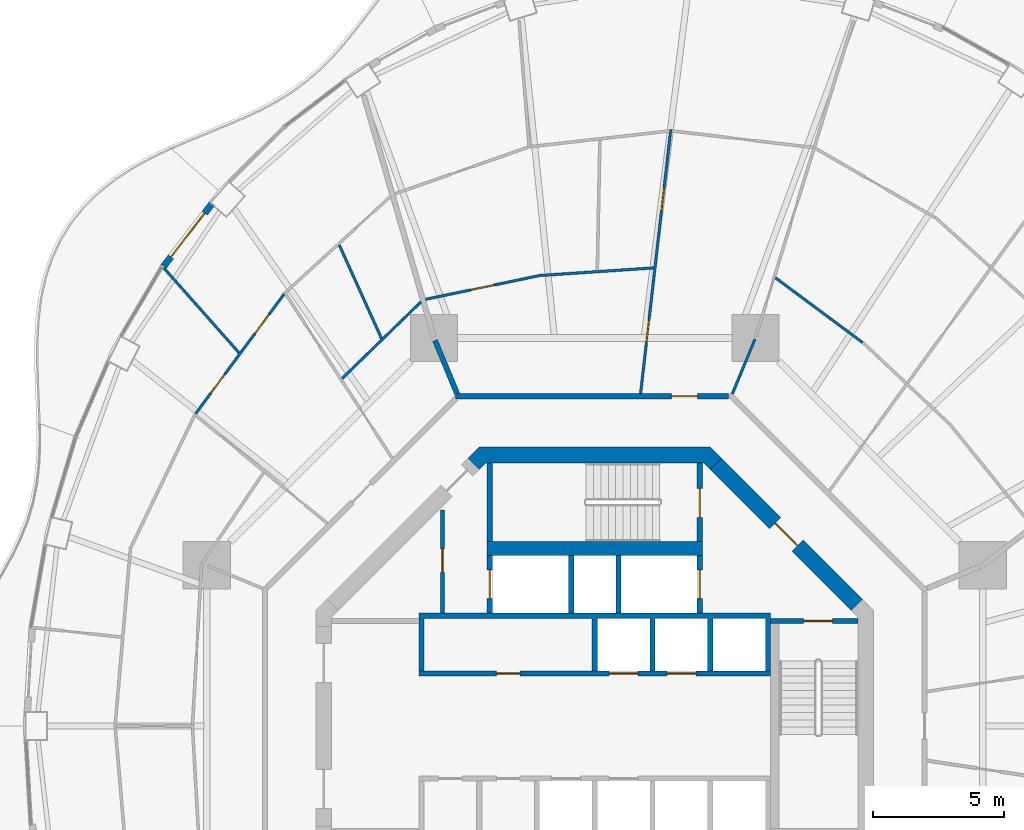
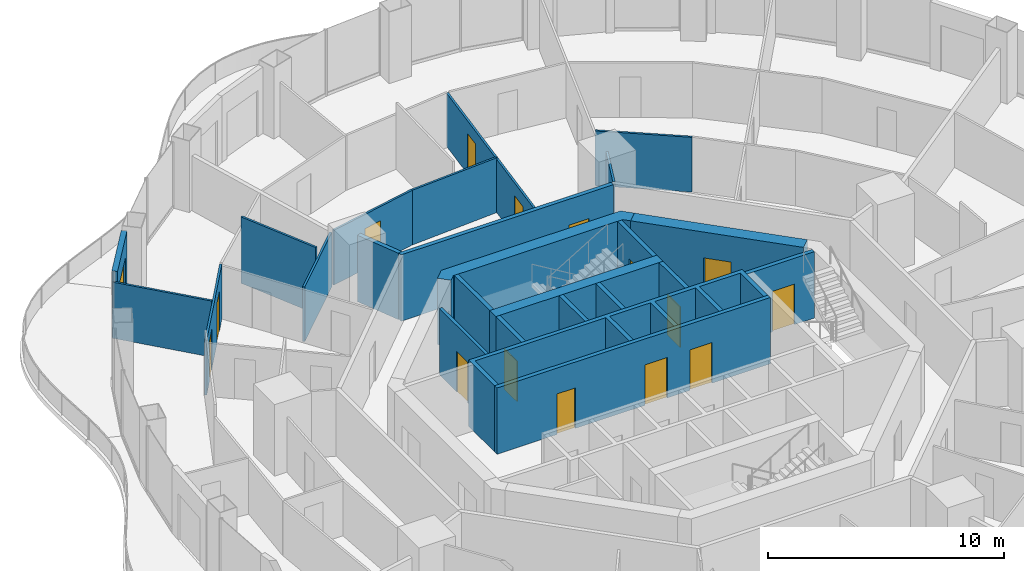
# One storey, part 14 of 19: 25 walls, 16 doors, 16 openings.
"""IFC4 building model written with IfcOpenShell, lengths in metres."""

from ifc_helpers import new_model, si_unit, direction, frame, frame_2d, origin, place, context, subcontext, project, spatial, polyline, rectangle, outline, extrude, material, layer, layer_set, type_object, element, fill, save


model = new_model("IFC4")

# Units and contexts
model_context = context("Model", 3, precision=1e-05, world=origin(), true_north=direction((0.0, 1.0)))
body_context = subcontext(model_context, "Body", "Model", "MODEL_VIEW")
ifc_project = project(units=[si_unit("LENGTHUNIT", "METRE"), si_unit("AREAUNIT", "SQUARE_METRE"), si_unit("VOLUMEUNIT", "CUBIC_METRE"), si_unit("PLANEANGLEUNIT", "RADIAN"), si_unit("MASSUNIT", "GRAM", prefix="KILO")], contexts=[model_context])

# Site, building, storey
site_placement = place(None, origin())
site = spatial("IfcSite", under=ifc_project, at=site_placement, CompositionType="ELEMENT")
building_placement = place(site_placement, origin())
building = spatial("IfcBuilding", under=site, at=building_placement, Name="Nagisa Residences", CompositionType="ELEMENT")
storey_placement = place(building_placement, frame((0.0, 0.0, 195.5)))
storey = spatial("IfcBuildingStorey", under=building, at=storey_placement, Name="L49", CompositionType="ELEMENT", Elevation=195.5)

# Wall
ifc_material_1 = material(Name="Gypsum board on steel studs", Category="steel")
ifc_layer_1 = layer(ifc_material_1, 0.199951171875)
ifc_layer_set_1 = layer_set([ifc_layer_1], Name="Apartment compartment wall EI60 200")
wall_type_1 = type_object("IfcWallType", Name="Apartment compartment wall EI60 200", PredefinedType="PARTITIONING", material=ifc_layer_set_1)
wall_1_placement = place(storey_placement, frame((-5.24267578125, 12.6572265625, 0.0), z_axis=(0.0, 0.0, 1.0), x_axis=(-0.382707856524, 0.923869415315, 0.0)))
element("IfcWall", 1, at=wall_1_placement, inside=storey, type_object=wall_type_1, Name="wall:L49:u02", PredefinedType="PARTITIONING", context=body_context, shape_type="SweptSolid", body=[
    extrude(rectangle(XDim=2.2001953125, YDim=0.199951171875, at=frame_2d((1.10009765625, 0.0))), origin(), (0.0, 0.0, 1.0), 3.43994140625),
])

# Wall, opening, door
ifc_material_2 = material(Name="Gypsum board on steel studs", Category="steel")
ifc_layer_2 = layer(ifc_material_2, 0.199951171875)
ifc_layer_set_2 = layer_set([ifc_layer_2], Name="Apartment entry wall EI60 200")
wall_type_2 = type_object("IfcWallType", Name="Apartment entry wall EI60 200", PredefinedType="PARTITIONING", material=ifc_layer_set_2)
wall_2_placement = place(storey_placement, frame((5.1044921875, 12.564697265625, 0.0), z_axis=(0.0, 0.0, 1.0), x_axis=(-1.0, 0.0, 0.0)))
wall_2 = element("IfcWall", 2, at=wall_2_placement, inside=storey, type_object=wall_type_2, Name="wall:L49:u12", PredefinedType="PARTITIONING", context=body_context, shape_type="SweptSolid", body=[
    extrude(rectangle(XDim=10.408935546875, YDim=0.199951171875, at=frame_2d((5.20458984375, 0.0))), origin(), (0.0, 0.0, 1.0), 3.43994140625),
])
opening_1_placement = place(wall_2_placement, frame((1.184814453125, 0.0, 0.0)))
opening_1 = element("IfcOpeningElement", 3, at=opening_1_placement, cuts=wall_2, Name="Opening L49-U31", PredefinedType="OPENING", context=body_context, shape_type="SweptSolid", body=[
    extrude(rectangle(XDim=1.0, YDim=2.10009765625, at=frame_2d((0.5, 1.050048828125))), frame((0.0, 0.10986328125, 0.0), z_axis=(0.0, -1.0, 0.0), x_axis=(1.0, 0.0, 0.0)), (0.0, 0.0, 1.0), 0.219970703125),
])
ifc_material_3 = material(Name="Timber fire door set", Category="wood")
door_type_1 = type_object("IfcDoorType", Name="Apartment entry door FD30S 1000x2100", OperationType="NOTDEFINED", PredefinedType="DOOR", material=ifc_material_3)
door_1_placement = place(opening_1_placement, frame((1.0, 0.0, 0.0), x_axis=(-1.0, 0.0, 0.0)))
door_1 = element("IfcDoor", 4, at=door_1_placement, inside=storey, type_object=door_type_1, Name="Entry door, Apartment 49D", OperationType="SINGLE_SWING_RIGHT", OverallHeight=2.10009765625, OverallWidth=1.0, PredefinedType="DOOR", context=body_context, shape_type="SweptSolid", body=[
    extrude(rectangle(XDim=1.0, YDim=2.10009765625, at=frame_2d((0.5, 1.050048828125))), frame((0.0, 0.02490234375, 0.0), z_axis=(0.0, -1.0, 0.0), x_axis=(1.0, 0.0, 0.0)), (0.0, 0.0, 1.0), 0.050048828125),
])
fill(opening_1, door_1)

# Walls
ifc_material_4 = material(Name="Gypsum board on steel studs", Category="steel")
ifc_layer_3 = layer(ifc_material_4, 0.10009765625)
ifc_layer_set_3 = layer_set([ifc_layer_3], Name="Apartment partition 100")
wall_type_3 = type_object("IfcWallType", Name="Apartment partition 100", PredefinedType="PARTITIONING", material=ifc_layer_set_3)
wall_3_placement = place(storey_placement, frame((10.20654296875, 14.609619140625, 0.0), z_axis=(0.0, 0.0, 1.0), x_axis=(-0.802784956441, 0.596268659005, 0.0)))
element("IfcWall", 5, at=wall_3_placement, inside=storey, type_object=wall_type_3, Name="wall:L49:u30", PredefinedType="PARTITIONING", context=body_context, shape_type="SweptSolid", body=[
    extrude(rectangle(XDim=4.142333984375, YDim=0.10009765625, at=frame_2d((2.0712890625, 0.0))), origin(), (0.0, 0.0, 1.0), 2.8369140625),
])
wall_4_placement = place(storey_placement, frame((5.24267578125, 12.6572265625, 0.0), z_axis=(0.0, 0.0, 1.0), x_axis=(0.382719158442, 0.923864733477, 0.0)))
element("IfcWall", 6, at=wall_4_placement, inside=storey, type_object=wall_type_3, Name="wall:L49:u32", PredefinedType="PARTITIONING", context=body_context, shape_type="SweptSolid", body=[
    extrude(rectangle(XDim=2.25, YDim=0.10009765625, at=frame_2d((1.125, 0.0))), origin(), (0.0, 0.0, 1.0), 3.43994140625),
])

# Wall, openings, doors
wall_5_placement = place(storey_placement, frame((1.74609375, 12.6640625, 0.0), z_axis=(0.0, 0.0, 1.0), x_axis=(0.113629529561, 0.993523190475, 0.0)))
wall_5 = element("IfcWall", 7, at=wall_5_placement, inside=storey, type_object=wall_type_3, Name="wall:L49:u35", PredefinedType="PARTITIONING", context=body_context, shape_type="SweptSolid", body=[
    extrude(rectangle(XDim=10.12841796875, YDim=0.10009765625, at=frame_2d((5.064208984375, 0.0))), origin(), (0.0, 0.0, 1.0), 2.756103515625),
])
opening_2_placement = place(wall_5_placement, frame((1.96240234375, 0.0, 0.0)))
opening_2 = element("IfcOpeningElement", 8, at=opening_2_placement, cuts=wall_5, Name="Opening L49-U33", PredefinedType="OPENING", context=body_context, shape_type="SweptSolid", body=[
    extrude(rectangle(XDim=0.89990234375, YDim=2.10009765625, at=frame_2d((0.449951171875, 1.050048828125))), frame((0.0, 0.06005859375, 0.0), z_axis=(0.0, -1.0, 0.0), x_axis=(1.0, 0.0, 0.0)), (0.0, 0.0, 1.0), 0.1201171875),
])
opening_3_placement = place(wall_5_placement, frame((7.001708984375, 0.0, 0.0)))
opening_3 = element("IfcOpeningElement", 9, at=opening_3_placement, cuts=wall_5, Name="Opening L49-U35", PredefinedType="OPENING", context=body_context, shape_type="SweptSolid", body=[
    extrude(rectangle(XDim=0.89990234375, YDim=2.10009765625, at=frame_2d((0.449951171875, 1.050048828125))), frame((0.0, 0.06005859375, 0.0), z_axis=(0.0, -1.0, 0.0), x_axis=(1.0, 0.0, 0.0)), (0.0, 0.0, 1.0), 0.1201171875),
])
ifc_material_5 = material(Name="Timber door set", Category="wood")
door_type_2 = type_object("IfcDoorType", Name="Apartment door 900x2100", OperationType="NOTDEFINED", PredefinedType="DOOR", material=ifc_material_5)
door_2_placement = place(opening_2_placement, origin())
door_2 = element("IfcDoor", 10, at=door_2_placement, inside=storey, type_object=door_type_2, Name="Door to laundry, Apartment 49D", OperationType="SINGLE_SWING_LEFT", OverallHeight=2.10009765625, OverallWidth=0.89990234375, PredefinedType="DOOR", context=body_context, shape_type="SweptSolid", body=[
    extrude(rectangle(XDim=0.89990234375, YDim=2.10009765625, at=frame_2d((0.449951171875, 1.050048828125))), frame((0.0, 0.02490234375, 0.0), z_axis=(0.0, -1.0, 0.0), x_axis=(1.0, 0.0, 0.0)), (0.0, 0.0, 1.0), 0.050048828125),
])
fill(opening_2, door_2)
door_3_placement = place(opening_3_placement, origin())
door_3 = element("IfcDoor", 11, at=door_3_placement, inside=storey, type_object=door_type_2, Name="Door to family bathroom, Apartment 49D", OperationType="SINGLE_SWING_LEFT", OverallHeight=2.10009765625, OverallWidth=0.89990234375, PredefinedType="DOOR", context=body_context, shape_type="SweptSolid", body=[
    extrude(rectangle(XDim=0.89990234375, YDim=2.10009765625, at=frame_2d((0.449951171875, 1.050048828125))), frame((0.0, 0.02490234375, 0.0), z_axis=(0.0, -1.0, 0.0), x_axis=(1.0, 0.0, 0.0)), (0.0, 0.0, 1.0), 0.050048828125),
])
fill(opening_3, door_3)

# Wall
wall_6_placement = place(storey_placement, frame((2.244384765625, 17.45458984375, 0.0), z_axis=(0.0, 0.0, 1.0), x_axis=(-0.997754717554, -0.066974051687, 0.0)))
element("IfcWall", 12, at=wall_6_placement, inside=storey, type_object=wall_type_3, Name="wall:L49:u36", PredefinedType="PARTITIONING", context=body_context, shape_type="SweptSolid", body=[
    extrude(rectangle(XDim=4.308837890625, YDim=0.10009765625, at=frame_2d((2.154296875, 0.0))), origin(), (0.0, 0.0, 1.0), 2.8369140625),
])

# Wall, opening, door
wall_7_placement = place(storey_placement, frame((-2.0556640625, 17.1728515625, 0.0), z_axis=(0.0, 0.0, 1.0), x_axis=(-0.978902917122, -0.20432591331, 0.0)))
wall_7 = element("IfcWall", 13, at=wall_7_placement, inside=storey, type_object=wall_type_3, Name="wall:L49:u39", PredefinedType="PARTITIONING", context=body_context, shape_type="SweptSolid", body=[
    extrude(rectangle(XDim=4.485595703125, YDim=0.10009765625, at=frame_2d((2.24267578125, 0.0))), origin(), (0.0, 0.0, 1.0), 2.8369140625),
])
opening_4_placement = place(wall_7_placement, frame((1.81787109375, 0.0, 0.0)))
opening_4 = element("IfcOpeningElement", 14, at=opening_4_placement, cuts=wall_7, Name="Opening L49-U36", PredefinedType="OPENING", context=body_context, shape_type="SweptSolid", body=[
    extrude(rectangle(XDim=0.89990234375, YDim=2.10009765625, at=frame_2d((0.449951171875, 1.050048828125))), frame((0.0, 0.06005859375, 0.0), z_axis=(0.0, -1.0, 0.0), x_axis=(1.0, 0.0, 0.0)), (0.0, 0.0, 1.0), 0.1201171875),
])
door_4_placement = place(opening_4_placement, frame((0.89990234375, 0.0, 0.0), x_axis=(-1.0, 0.0, 0.0)))
door_4 = element("IfcDoor", 15, at=door_4_placement, inside=storey, type_object=door_type_2, Name="Door to family room, Apartment 49D", OperationType="SINGLE_SWING_LEFT", OverallHeight=2.10009765625, OverallWidth=0.89990234375, PredefinedType="DOOR", context=body_context, shape_type="SweptSolid", body=[
    extrude(rectangle(XDim=0.89990234375, YDim=2.10009765625, at=frame_2d((0.449951171875, 1.050048828125))), frame((0.0, 0.02490234375, 0.0), z_axis=(0.0, -1.0, 0.0), x_axis=(1.0, 0.0, 0.0)), (0.0, 0.0, 1.0), 0.050048828125),
])
fill(opening_4, door_4)

# Walls
wall_8_placement = place(storey_placement, frame((-6.6162109375, 16.166259765625, 0.0), z_axis=(0.0, 0.0, 1.0), x_axis=(-0.716919058692, -0.697156412352, 0.0)))
element("IfcWall", 16, at=wall_8_placement, inside=storey, type_object=wall_type_3, Name="wall:L49:u42", PredefinedType="PARTITIONING", context=body_context, shape_type="SweptSolid", body=[
    extrude(rectangle(XDim=4.2001953125, YDim=0.10009765625, at=frame_2d((2.10009765625, 0.0))), origin(), (0.0, 0.0, 1.0), 2.8369140625),
])
wall_9_placement = place(storey_placement, frame((-8.12451171875, 14.76513671875, 0.0), z_axis=(0.0, 0.0, 1.0), x_axis=(-0.411745679848, 0.911298795745, 0.0)))
element("IfcWall", 17, at=wall_9_placement, inside=storey, type_object=wall_type_3, Name="wall:L49:u44", PredefinedType="PARTITIONING", context=body_context, shape_type="SweptSolid", body=[
    extrude(rectangle(XDim=3.9091796875, YDim=0.10009765625, at=frame_2d((1.95458984375, 0.0))), origin(), (0.0, 0.0, 1.0), 3.43994140625),
])

# Wall, openings, doors
wall_10_placement = place(storey_placement, frame((-11.832275390625, 16.461181640625, 0.0), z_axis=(0.0, 0.0, 1.0), x_axis=(-0.594704483906, -0.803944386647, 0.0)))
wall_10 = element("IfcWall", 18, at=wall_10_placement, inside=storey, type_object=wall_type_3, Name="wall:L49:u46", PredefinedType="PARTITIONING", context=body_context, shape_type="SweptSolid", body=[
    extrude(rectangle(XDim=5.671875, YDim=0.10009765625, at=frame_2d((2.8359375, 0.0))), origin(), (0.0, 0.0, 1.0), 2.8369140625),
])
opening_5_placement = place(wall_10_placement, frame((0.968017578125, 0.0, 0.0)))
opening_5 = element("IfcOpeningElement", 19, at=opening_5_placement, cuts=wall_10, Name="Opening L49-U49", PredefinedType="OPENING", context=body_context, shape_type="SweptSolid", body=[
    extrude(rectangle(XDim=0.89990234375, YDim=2.10009765625, at=frame_2d((0.449951171875, 1.050048828125))), frame((0.0, 0.06005859375, 0.0), z_axis=(0.0, -1.0, 0.0), x_axis=(1.0, 0.0, 0.0)), (0.0, 0.0, 1.0), 0.1201171875),
])
opening_6_placement = place(wall_10_placement, frame((3.8037109375, 0.0, 0.0)))
opening_6 = element("IfcOpeningElement", 20, at=opening_6_placement, cuts=wall_10, Name="Opening L49-U50", PredefinedType="OPENING", context=body_context, shape_type="SweptSolid", body=[
    extrude(rectangle(XDim=0.89990234375, YDim=2.10009765625, at=frame_2d((0.449951171875, 1.050048828125))), frame((0.0, 0.06005859375, 0.0), z_axis=(0.0, -1.0, 0.0), x_axis=(1.0, 0.0, 0.0)), (0.0, 0.0, 1.0), 0.1201171875),
])
door_5_placement = place(opening_5_placement, frame((0.89990234375, 0.0, 0.0), x_axis=(-1.0, 0.0, 0.0)))
door_5 = element("IfcDoor", 21, at=door_5_placement, inside=storey, type_object=door_type_2, Name="Door to master bedroom, Apartment 49E", OperationType="SINGLE_SWING_RIGHT", OverallHeight=2.10009765625, OverallWidth=0.89990234375, PredefinedType="DOOR", context=body_context, shape_type="SweptSolid", body=[
    extrude(rectangle(XDim=0.89990234375, YDim=2.10009765625, at=frame_2d((0.449951171875, 1.050048828125))), frame((0.0, 0.02490234375, 0.0), z_axis=(0.0, -1.0, 0.0), x_axis=(1.0, 0.0, 0.0)), (0.0, 0.0, 1.0), 0.050048828125),
])
fill(opening_5, door_5)
door_6_placement = place(opening_6_placement, frame((0.89990234375, 0.0, 0.0), x_axis=(-1.0, 0.0, 0.0)))
door_6 = element("IfcDoor", 22, at=door_6_placement, inside=storey, type_object=door_type_2, Name="Door to family room, Apartment 49E", OperationType="SINGLE_SWING_LEFT", OverallHeight=2.10009765625, OverallWidth=0.89990234375, PredefinedType="DOOR", context=body_context, shape_type="SweptSolid", body=[
    extrude(rectangle(XDim=0.89990234375, YDim=2.10009765625, at=frame_2d((0.449951171875, 1.050048828125))), frame((0.0, 0.02490234375, 0.0), z_axis=(0.0, -1.0, 0.0), x_axis=(1.0, 0.0, 0.0)), (0.0, 0.0, 1.0), 0.050048828125),
])
fill(opening_6, door_6)

# Wall
wall_11_placement = place(storey_placement, frame((-13.552001953125, 14.21875, 0.0), z_axis=(0.0, 0.0, 1.0), x_axis=(-0.663542794709, 0.748138329181, 0.0)))
element("IfcWall", 23, at=wall_11_placement, inside=storey, type_object=wall_type_3, Name="wall:L49:u47", PredefinedType="PARTITIONING", context=body_context, shape_type="SweptSolid", body=[
    extrude(rectangle(XDim=4.4501953125, YDim=0.10009765625, at=frame_2d((2.22509765625, 0.0))), origin(), (0.0, 0.0, 1.0), 2.905029296875),
])

# Wall, opening, door
ifc_material_6 = material(Name="Precast concrete C40/50", Category="concrete")
ifc_layer_4 = layer(ifc_material_6, 0.25)
ifc_layer_set_4 = layer_set([ifc_layer_4], Name="BALCONY DOOR WALL 250")
wall_type_4 = type_object("IfcWallType", Name="BALCONY DOOR WALL 250", PredefinedType="SOLIDWALL", material=ifc_layer_set_4)
wall_12_placement = place(storey_placement, frame((-16.432373046875, 17.501708984375, 0.0), z_axis=(0.0, 0.0, 1.0), x_axis=(0.610437428894, 0.79206448311, 0.0)))
wall_12 = element("IfcWall", 24, at=wall_12_placement, inside=storey, type_object=wall_type_4, Name="wall:L49:bay18", PredefinedType="SOLIDWALL", context=body_context, shape_type="SweptSolid", body=[
    extrude(rectangle(XDim=3.03515625, YDim=0.25, at=frame_2d((1.517578125, 0.0))), origin(), (0.0, 0.0, 1.0), 3.43994140625),
])
opening_7_placement = place(wall_12_placement, frame((0.467529296875, 0.0, 0.0)))
opening_7 = element("IfcOpeningElement", 25, at=opening_7_placement, cuts=wall_12, Name="Opening BD-L49-07", PredefinedType="OPENING", context=body_context, shape_type="SweptSolid", body=[
    extrude(rectangle(XDim=2.10009765625, YDim=2.39990234375, at=frame_2d((1.050048828125, 1.199951171875))), frame((0.0, 0.135009765625, 0.0), z_axis=(0.0, -1.0, 0.0), x_axis=(1.0, 0.0, 0.0)), (0.0, 0.0, 1.0), 0.27001953125),
])
ifc_material_7 = material(Name="Aluminium and clear glass", Category="aluminium")
door_type_3 = type_object("IfcDoorType", Name="BALCONY SLIDING DOOR 2100x2400", OperationType="SLIDING_TO_LEFT", PredefinedType="DOOR", material=ifc_material_7)
door_7_placement = place(opening_7_placement, origin())
door_7 = element("IfcDoor", 26, at=door_7_placement, inside=storey, type_object=door_type_3, Name="door:L49:bay18", OperationType="SLIDING_TO_LEFT", OverallHeight=2.39990234375, OverallWidth=2.10009765625, PredefinedType="DOOR", context=body_context, shape_type="SweptSolid", body=[
    extrude(rectangle(XDim=2.10009765625, YDim=2.39990234375, at=frame_2d((1.050048828125, 1.199951171875))), frame((0.0, 0.02490234375, 0.0), z_axis=(0.0, -1.0, 0.0), x_axis=(1.0, 0.0, 0.0)), (0.0, 0.0, 1.0), 0.050048828125),
])
fill(opening_7, door_7)

ifc_material_8 = material(Name="Gypsum board on steel studs", Category="steel")
ifc_layer_5 = layer(ifc_material_8, 0.14990234375)
ifc_layer_set_5 = layer_set([ifc_layer_5], Name="Core partition 150")
wall_type_5 = type_object("IfcWallType", Name="Core partition 150", PredefinedType="PARTITIONING", material=ifc_layer_set_5)
wall_13_placement = place(storey_placement, frame((-5.800048828125, 4.300048828125, 0.0), z_axis=(0.0, 0.0, 1.0), x_axis=(0.0, 1.0, 0.0)))
wall_13 = element("IfcWall", 27, at=wall_13_placement, inside=storey, type_object=wall_type_5, Name="wall:L49:NWp", PredefinedType="PARTITIONING", context=body_context, shape_type="SweptSolid", body=[
    extrude(rectangle(XDim=3.927001953125, YDim=0.14990234375, at=frame_2d((1.96337890625, 0.0))), origin(), (0.0, 0.0, 1.0), 3.43994140625),
])
opening_8_placement = place(wall_13_placement, frame((1.551025390625, 0.0, 0.0)))
opening_8 = element("IfcOpeningElement", 28, at=opening_8_placement, cuts=wall_13, Name="Opening L49-C11", PredefinedType="OPENING", context=body_context, shape_type="SweptSolid", body=[
    extrude(rectangle(XDim=0.89990234375, YDim=2.10009765625, at=frame_2d((0.449951171875, 1.050048828125))), frame((0.0, 0.0849609375, 0.0), z_axis=(0.0, -1.0, 0.0), x_axis=(1.0, 0.0, 0.0)), (0.0, 0.0, 1.0), 0.169921875),
])
ifc_material_9 = material(Name="Steel fire door", Category="steel")
door_type_4 = type_object("IfcDoorType", Name="Fire door EI30 900x2100 single swing", OperationType="NOTDEFINED", PredefinedType="DOOR", material=ifc_material_9)
door_8_placement = place(opening_8_placement, origin())
door_8 = element("IfcDoor", 29, at=door_8_placement, inside=storey, type_object=door_type_4, Name="Linen store door L49", OperationType="SINGLE_SWING_LEFT", OverallHeight=2.10009765625, OverallWidth=0.89990234375, PredefinedType="DOOR", context=body_context, shape_type="SweptSolid", body=[
    extrude(rectangle(XDim=0.89990234375, YDim=2.10009765625, at=frame_2d((0.449951171875, 1.050048828125))), frame((0.0, 0.02490234375, 0.0), z_axis=(0.0, -1.0, 0.0), x_axis=(1.0, 0.0, 0.0)), (0.0, 0.0, 1.0), 0.050048828125),
])
fill(opening_8, door_8)

ifc_material_10 = material(Name="Concrete C60", Category="concrete")
ifc_layer_6 = layer(ifc_material_10, 0.60009765625)
ifc_layer_set_6 = layer_set([ifc_layer_6], Name="Core shear wall 600")
wall_type_6 = type_object("IfcWallType", Name="Core shear wall 600", PredefinedType="SHEAR", material=ifc_layer_set_6)
wall_14_placement = place(storey_placement, frame((9.98828125, 4.613037109375, 0.0), z_axis=(0.0, 0.0, 1.0), x_axis=(-0.707106781187, 0.707106781187, 0.0)))
wall_14 = element("IfcWall", 30, at=wall_14_placement, inside=storey, type_object=wall_type_6, Name="wall:L49:core:flat1", PredefinedType="SHEAR", context=body_context, shape_type="SweptSolid", body=[
    extrude(rectangle(XDim=7.601806640625, YDim=0.60009765625, at=frame_2d((3.80078125, 0.0))), origin(), (0.0, 0.0, 1.0), 3.43994140625),
])
opening_9_placement = place(wall_14_placement, frame((3.200927734375, 0.0, 0.0)))
opening_9 = element("IfcOpeningElement", 31, at=opening_9_placement, cuts=wall_14, Name="Opening L49-C18", PredefinedType="OPENING", context=body_context, shape_type="SweptSolid", body=[
    extrude(rectangle(XDim=1.199951171875, YDim=2.10009765625, at=frame_2d((0.60009765625, 1.050048828125))), frame((0.0, 0.31005859375, 0.0), z_axis=(0.0, -1.0, 0.0), x_axis=(1.0, 0.0, 0.0)), (0.0, 0.0, 1.0), 0.6201171875),
])
ifc_material_11 = material(Name="Steel fire door", Category="steel")
door_type_5 = type_object("IfcDoorType", Name="Fire door EI60 1200x2100 single swing", OperationType="NOTDEFINED", PredefinedType="DOOR", material=ifc_material_11)
door_9_placement = place(opening_9_placement, origin())
door_9 = element("IfcDoor", 32, at=door_9_placement, inside=storey, type_object=door_type_5, Name="Firefighting lobby 1 door L49", OperationType="SINGLE_SWING_RIGHT", OverallHeight=2.10009765625, OverallWidth=1.199951171875, PredefinedType="DOOR", context=body_context, shape_type="SweptSolid", body=[
    extrude(rectangle(XDim=1.199951171875, YDim=2.10009765625, at=frame_2d((0.60009765625, 1.050048828125))), frame((0.0, 0.02490234375, 0.0), z_axis=(0.0, -1.0, 0.0), x_axis=(1.0, 0.0, 0.0)), (0.0, 0.0, 1.0), 0.050048828125),
])
fill(opening_9, door_9)

# Wall
wall_15_placement = place(storey_placement, origin())
element("IfcWall", 33, at=wall_15_placement, inside=storey, type_object=wall_type_6, Name="wall:L49:core:flat2", PredefinedType="SHEAR", context=body_context, shape_type="SweptSolid", body=[
    extrude(outline(polyline([(-4.15234375, 10.024658203125), (-4.40087890625, 9.776123046875), (-4.8251953125, 10.200439453125), (-4.40087890625, 10.62451171875), (4.40087890625, 10.62451171875), (4.8251953125, 10.200439453125), (4.40087890625, 9.776123046875), (4.15234375, 10.024658203125), (-4.15234375, 10.024658203125)])), origin(), (0.0, 0.0, 1.0), 3.43994140625),
])

# Wall, opening, door
ifc_material_12 = material(Name="Concrete C60", Category="concrete")
ifc_layer_7 = layer(ifc_material_12, 0.199951171875)
ifc_layer_set_7 = layer_set([ifc_layer_7], Name="Lift shaft wall 200")
wall_type_7 = type_object("IfcWallType", Name="Lift shaft wall 200", PredefinedType="SOLIDWALL", material=ifc_layer_set_7)
wall_16_placement = place(storey_placement, frame((4.0, 4.300048828125, 0.0), z_axis=(0.0, 0.0, 1.0), x_axis=(0.0, 1.0, 0.0)))
wall_16 = element("IfcWall", 34, at=wall_16_placement, inside=storey, type_object=wall_type_7, Name="wall:L49:Nb3", PredefinedType="SOLIDWALL", context=body_context, shape_type="SweptSolid", body=[
    extrude(rectangle(XDim=2.199951171875, YDim=0.199951171875, at=frame_2d((1.10009765625, 0.0))), origin(), (0.0, 0.0, 1.0), 3.43994140625),
])
opening_10_placement = place(wall_16_placement, frame((0.550048828125, 0.0, 0.0)))
opening_10 = element("IfcOpeningElement", 35, at=opening_10_placement, cuts=wall_16, Name="Opening L49-C05", PredefinedType="OPENING", context=body_context, shape_type="SweptSolid", body=[
    extrude(rectangle(XDim=1.10009765625, YDim=2.10009765625, at=frame_2d((0.550048828125, 1.050048828125))), frame((0.0, 0.10986328125, 0.0), z_axis=(0.0, -1.0, 0.0), x_axis=(1.0, 0.0, 0.0)), (0.0, 0.0, 1.0), 0.219970703125),
])
ifc_material_13 = material(Name="Stainless steel", Category="steel")
door_type_6 = type_object("IfcDoorType", Name="Lift landing door 1100x2100", OperationType="DOUBLE_DOOR_SLIDING", PredefinedType="DOOR", material=ifc_material_13)
door_10_placement = place(opening_10_placement, origin())
door_10 = element("IfcDoor", 36, at=door_10_placement, inside=storey, type_object=door_type_6, Name="Landing door FL1 L49", OperationType="DOUBLE_DOOR_SLIDING", OverallHeight=2.10009765625, OverallWidth=1.10009765625, PredefinedType="DOOR", context=body_context, shape_type="SweptSolid", body=[
    extrude(rectangle(XDim=1.10009765625, YDim=2.10009765625, at=frame_2d((0.550048828125, 1.050048828125))), frame((0.0, 0.02490234375, 0.0), z_axis=(0.0, -1.0, 0.0), x_axis=(1.0, 0.0, 0.0)), (0.0, 0.0, 1.0), 0.050048828125),
])
fill(opening_10, door_10)

wall_17_placement = place(storey_placement, frame((-4.0, 4.300048828125, 0.0), z_axis=(0.0, 0.0, 1.0), x_axis=(0.0, 1.0, 0.0)))
wall_17 = element("IfcWall", 37, at=wall_17_placement, inside=storey, type_object=wall_type_7, Name="wall:L49:Nb4", PredefinedType="SOLIDWALL", context=body_context, shape_type="SweptSolid", body=[
    extrude(rectangle(XDim=2.199951171875, YDim=0.199951171875, at=frame_2d((1.10009765625, 0.0))), origin(), (0.0, 0.0, 1.0), 3.43994140625),
])
opening_11_placement = place(wall_17_placement, frame((0.550048828125, 0.0, 0.0)))
opening_11 = element("IfcOpeningElement", 38, at=opening_11_placement, cuts=wall_17, Name="Opening L49-C07", PredefinedType="OPENING", context=body_context, shape_type="SweptSolid", body=[
    extrude(rectangle(XDim=1.10009765625, YDim=2.10009765625, at=frame_2d((0.550048828125, 1.050048828125))), frame((0.0, 0.10986328125, 0.0), z_axis=(0.0, -1.0, 0.0), x_axis=(1.0, 0.0, 0.0)), (0.0, 0.0, 1.0), 0.219970703125),
])
door_11_placement = place(opening_11_placement, origin())
door_11 = element("IfcDoor", 39, at=door_11_placement, inside=storey, type_object=door_type_6, Name="Landing door SV L49", OperationType="DOUBLE_DOOR_SLIDING", OverallHeight=2.10009765625, OverallWidth=1.10009765625, PredefinedType="DOOR", context=body_context, shape_type="SweptSolid", body=[
    extrude(rectangle(XDim=1.10009765625, YDim=2.10009765625, at=frame_2d((0.550048828125, 1.050048828125))), frame((0.0, 0.02490234375, 0.0), z_axis=(0.0, -1.0, 0.0), x_axis=(1.0, 0.0, 0.0)), (0.0, 0.0, 1.0), 0.050048828125),
])
fill(opening_11, door_11)

# Wall, openings, doors
wall_18_placement = place(storey_placement, frame((-6.699951171875, 2.0, 0.0), z_axis=(0.0, 0.0, 1.0), x_axis=(1.0, 0.0, 0.0)))
wall_18 = element("IfcWall", 40, at=wall_18_placement, inside=storey, type_object=wall_type_7, Name="wall:L49:Nfront", PredefinedType="SOLIDWALL", context=body_context, shape_type="SweptSolid", body=[
    extrude(rectangle(XDim=13.39990234375, YDim=0.199951171875, at=frame_2d((6.699951171875, 0.0))), origin(), (0.0, 0.0, 1.0), 3.43994140625),
])
opening_12_placement = place(wall_18_placement, frame((7.25, 0.0, 0.0)))
opening_12 = element("IfcOpeningElement", 41, at=opening_12_placement, cuts=wall_18, Name="Opening L49-C01", PredefinedType="OPENING", context=body_context, shape_type="SweptSolid", body=[
    extrude(rectangle(XDim=1.10009765625, YDim=2.10009765625, at=frame_2d((0.550048828125, 1.050048828125))), frame((0.0, 0.10986328125, 0.0), z_axis=(0.0, -1.0, 0.0), x_axis=(1.0, 0.0, 0.0)), (0.0, 0.0, 1.0), 0.219970703125),
])
opening_13_placement = place(wall_18_placement, frame((9.449951171875, 0.0, 0.0)))
opening_13 = element("IfcOpeningElement", 42, at=opening_13_placement, cuts=wall_18, Name="Opening L49-C02", PredefinedType="OPENING", context=body_context, shape_type="SweptSolid", body=[
    extrude(rectangle(XDim=1.10009765625, YDim=2.10009765625, at=frame_2d((0.550048828125, 1.050048828125))), frame((0.0, 0.10986328125, 0.0), z_axis=(0.0, -1.0, 0.0), x_axis=(1.0, 0.0, 0.0)), (0.0, 0.0, 1.0), 0.219970703125),
])
opening_14_placement = place(wall_18_placement, frame((2.949951171875, 0.0, 0.0)))
opening_14 = element("IfcOpeningElement", 43, at=opening_14_placement, cuts=wall_18, Name="Opening L49-C15", PredefinedType="OPENING", context=body_context, shape_type="SweptSolid", body=[
    extrude(rectangle(XDim=0.89990234375, YDim=2.10009765625, at=frame_2d((0.449951171875, 1.050048828125))), frame((0.0, 0.10986328125, 0.0), z_axis=(0.0, -1.0, 0.0), x_axis=(1.0, 0.0, 0.0)), (0.0, 0.0, 1.0), 0.219970703125),
])
door_12_placement = place(opening_14_placement, origin())
door_12 = element("IfcDoor", 44, at=door_12_placement, inside=storey, type_object=door_type_4, Name="Owner storage door L49", OperationType="SINGLE_SWING_RIGHT", OverallHeight=2.10009765625, OverallWidth=0.89990234375, PredefinedType="DOOR", context=body_context, shape_type="SweptSolid", body=[
    extrude(rectangle(XDim=0.89990234375, YDim=2.10009765625, at=frame_2d((0.449951171875, 1.050048828125))), frame((0.0, 0.02490234375, 0.0), z_axis=(0.0, -1.0, 0.0), x_axis=(1.0, 0.0, 0.0)), (0.0, 0.0, 1.0), 0.050048828125),
])
fill(opening_14, door_12)
door_13_placement = place(opening_12_placement, origin())
door_13 = element("IfcDoor", 45, at=door_13_placement, inside=storey, type_object=door_type_6, Name="Landing door B1 L49", OperationType="DOUBLE_DOOR_SLIDING", OverallHeight=2.10009765625, OverallWidth=1.10009765625, PredefinedType="DOOR", context=body_context, shape_type="SweptSolid", body=[
    extrude(rectangle(XDim=1.10009765625, YDim=2.10009765625, at=frame_2d((0.550048828125, 1.050048828125))), frame((0.0, 0.02490234375, 0.0), z_axis=(0.0, -1.0, 0.0), x_axis=(1.0, 0.0, 0.0)), (0.0, 0.0, 1.0), 0.050048828125),
])
fill(opening_12, door_13)
door_14_placement = place(opening_13_placement, origin())
door_14 = element("IfcDoor", 46, at=door_14_placement, inside=storey, type_object=door_type_6, Name="Landing door B2 L49", OperationType="DOUBLE_DOOR_SLIDING", OverallHeight=2.10009765625, OverallWidth=1.10009765625, PredefinedType="DOOR", context=body_context, shape_type="SweptSolid", body=[
    extrude(rectangle(XDim=1.10009765625, YDim=2.10009765625, at=frame_2d((0.550048828125, 1.050048828125))), frame((0.0, 0.02490234375, 0.0), z_axis=(0.0, -1.0, 0.0), x_axis=(1.0, 0.0, 0.0)), (0.0, 0.0, 1.0), 0.050048828125),
])
fill(opening_13, door_14)

# Walls
for number, where, z_axis, x_axis, name in (
    (47, (-0.89990234375, 4.300048828125, 0.0), (0.0, 0.0, 1.0), (0.0, 1.0, 0.0), "wall:L49:Nb1"),
    (48, (0.89990234375, 4.300048828125, 0.0), (0.0, 0.0, 1.0), (0.0, 1.0, 0.0), "wall:L49:Nb2"),
):
    element("IfcWall", number, at=place(storey_placement, frame(where, z_axis=z_axis, x_axis=x_axis)), inside=storey, type_object=wall_type_7, Name=name, PredefinedType="SOLIDWALL", context=body_context, shape_type="SweptSolid", body=[
        extrude(rectangle(XDim=2.199951171875, YDim=0.199951171875, at=frame_2d((1.10009765625, 0.0))), origin(), (0.0, 0.0, 1.0), 3.43994140625),
    ])
wall_19_placement = place(storey_placement, origin())
element("IfcWall", 49, at=wall_19_placement, inside=storey, type_object=wall_type_7, Name="wall:L49:Nback", PredefinedType="SOLIDWALL", context=body_context, shape_type="SweptSolid", body=[
    extrude(outline(polyline([(-6.699951171875, 4.300048828125), (6.699951171875, 4.300048828125), (6.699951171875, 2.10009765625), (6.5, 2.10009765625), (6.5, 4.10009765625), (4.5, 4.10009765625), (4.5, 2.10009765625), (4.300048828125, 2.10009765625), (4.300048828125, 4.10009765625), (2.300048828125, 4.10009765625), (2.300048828125, 2.10009765625), (2.10009765625, 2.10009765625), (2.10009765625, 4.10009765625), (0.10009765625, 4.10009765625), (0.10009765625, 2.10009765625), (-0.10009765625, 2.10009765625), (-0.10009765625, 4.10009765625), (-6.5, 4.10009765625), (-6.5, 2.10009765625), (-6.699951171875, 2.10009765625), (-6.699951171875, 4.300048828125)])), origin(), (0.0, 0.0, 1.0), 3.43994140625),
])

# Wall, opening, door
ifc_material_14 = material(Name="Concrete C60", Category="concrete")
ifc_layer_8 = layer(ifc_material_14, 0.199951171875)
ifc_layer_set_8 = layer_set([ifc_layer_8], Name="Stair enclosure wall 200")
wall_type_8 = type_object("IfcWallType", Name="Stair enclosure wall 200", PredefinedType="SOLIDWALL", material=ifc_layer_set_8)
wall_20_placement = place(storey_placement, frame((6.699951171875, 4.0, 0.0), z_axis=(0.0, 0.0, 1.0), x_axis=(1.0, 0.0, 0.0)))
wall_20 = element("IfcWall", 50, at=wall_20_placement, inside=storey, type_object=wall_type_8, Name="wall:L49:SE_n", PredefinedType="SOLIDWALL", context=body_context, shape_type="SweptSolid", body=[
    extrude(rectangle(XDim=3.32470703125, YDim=0.199951171875, at=frame_2d((1.662353515625, 0.0))), origin(), (0.0, 0.0, 1.0), 3.43994140625),
])
opening_15_placement = place(wall_20_placement, frame((1.25, 0.0, 0.0)))
opening_15 = element("IfcOpeningElement", 51, at=opening_15_placement, cuts=wall_20, Name="Opening L49-C08", PredefinedType="OPENING", context=body_context, shape_type="SweptSolid", body=[
    extrude(rectangle(XDim=1.10009765625, YDim=2.10009765625, at=frame_2d((0.550048828125, 1.050048828125))), frame((0.0, 0.10986328125, 0.0), z_axis=(0.0, -1.0, 0.0), x_axis=(1.0, 0.0, 0.0)), (0.0, 0.0, 1.0), 0.219970703125),
])
ifc_material_15 = material(Name="Steel fire door", Category="steel")
door_type_7 = type_object("IfcDoorType", Name="Fire door EI90 1100x2100 single swing", OperationType="NOTDEFINED", PredefinedType="DOOR", material=ifc_material_15)
door_15_placement = place(opening_15_placement, frame((1.10009765625, 0.0, 0.0), x_axis=(-1.0, 0.0, 0.0)))
door_15 = element("IfcDoor", 52, at=door_15_placement, inside=storey, type_object=door_type_7, Name="Stair door ST-E L49", OperationType="SINGLE_SWING_LEFT", OverallHeight=2.10009765625, OverallWidth=1.10009765625, PredefinedType="DOOR", context=body_context, shape_type="SweptSolid", body=[
    extrude(rectangle(XDim=1.10009765625, YDim=2.10009765625, at=frame_2d((0.550048828125, 1.050048828125))), frame((0.0, 0.02490234375, 0.0), z_axis=(0.0, -1.0, 0.0), x_axis=(1.0, 0.0, 0.0)), (0.0, 0.0, 1.0), 0.050048828125),
])
fill(opening_15, door_15)

wall_21_placement = place(storey_placement, frame((4.0, 7.024658203125, 0.0), z_axis=(0.0, 0.0, 1.0), x_axis=(0.0, 1.0, 0.0)))
wall_21 = element("IfcWall", 53, at=wall_21_placement, inside=storey, type_object=wall_type_8, Name="wall:L49:SN_e", PredefinedType="SOLIDWALL", context=body_context, shape_type="SweptSolid", body=[
    extrude(rectangle(XDim=3.0, YDim=0.199951171875, at=frame_2d((1.5, 0.0))), origin(), (0.0, 0.0, 1.0), 3.43994140625),
])
opening_16_placement = place(wall_21_placement, frame((0.92529296875, 0.0, 0.0)))
opening_16 = element("IfcOpeningElement", 54, at=opening_16_placement, cuts=wall_21, Name="Opening L49-C09", PredefinedType="OPENING", context=body_context, shape_type="SweptSolid", body=[
    extrude(rectangle(XDim=1.10009765625, YDim=2.10009765625, at=frame_2d((0.550048828125, 1.050048828125))), frame((0.0, 0.10986328125, 0.0), z_axis=(0.0, -1.0, 0.0), x_axis=(1.0, 0.0, 0.0)), (0.0, 0.0, 1.0), 0.219970703125),
])
door_16_placement = place(opening_16_placement, origin())
door_16 = element("IfcDoor", 55, at=door_16_placement, inside=storey, type_object=door_type_7, Name="Stair door ST-N L49", OperationType="SINGLE_SWING_RIGHT", OverallHeight=2.10009765625, OverallWidth=1.10009765625, PredefinedType="DOOR", context=body_context, shape_type="SweptSolid", body=[
    extrude(rectangle(XDim=1.10009765625, YDim=2.10009765625, at=frame_2d((0.550048828125, 1.050048828125))), frame((0.0, 0.02490234375, 0.0), z_axis=(0.0, -1.0, 0.0), x_axis=(1.0, 0.0, 0.0)), (0.0, 0.0, 1.0), 0.050048828125),
])
fill(opening_16, door_16)

# Walls
wall_22_placement = place(storey_placement, origin())
element("IfcWall", 56, at=wall_22_placement, inside=storey, type_object=wall_type_8, Name="wall:L49:SN_w", PredefinedType="SOLIDWALL", context=body_context, shape_type="SweptSolid", body=[
    extrude(outline(polyline([(-3.89990234375, 7.024658203125), (-4.10009765625, 7.024658203125), (-4.10009765625, 10.024658203125), (-3.89990234375, 10.024658203125), (-3.89990234375, 7.024658203125)])), origin(), (0.0, 0.0, 1.0), 3.43994140625),
])
wall_23_placement = place(storey_placement, origin())
element("IfcWall", 57, at=wall_23_placement, inside=storey, type_object=wall_type_8, Name="wall:L49:SN_s", PredefinedType="SOLIDWALL", context=body_context, shape_type="SweptSolid", body=[
    extrude(outline(polyline([(4.10009765625, 6.5), (-4.10009765625, 6.5), (-4.10009765625, 7.024658203125), (4.10009765625, 7.024658203125), (4.10009765625, 6.5)])), origin(), (0.0, 0.0, 1.0), 3.43994140625),
])

save(model, "model.ifc")
